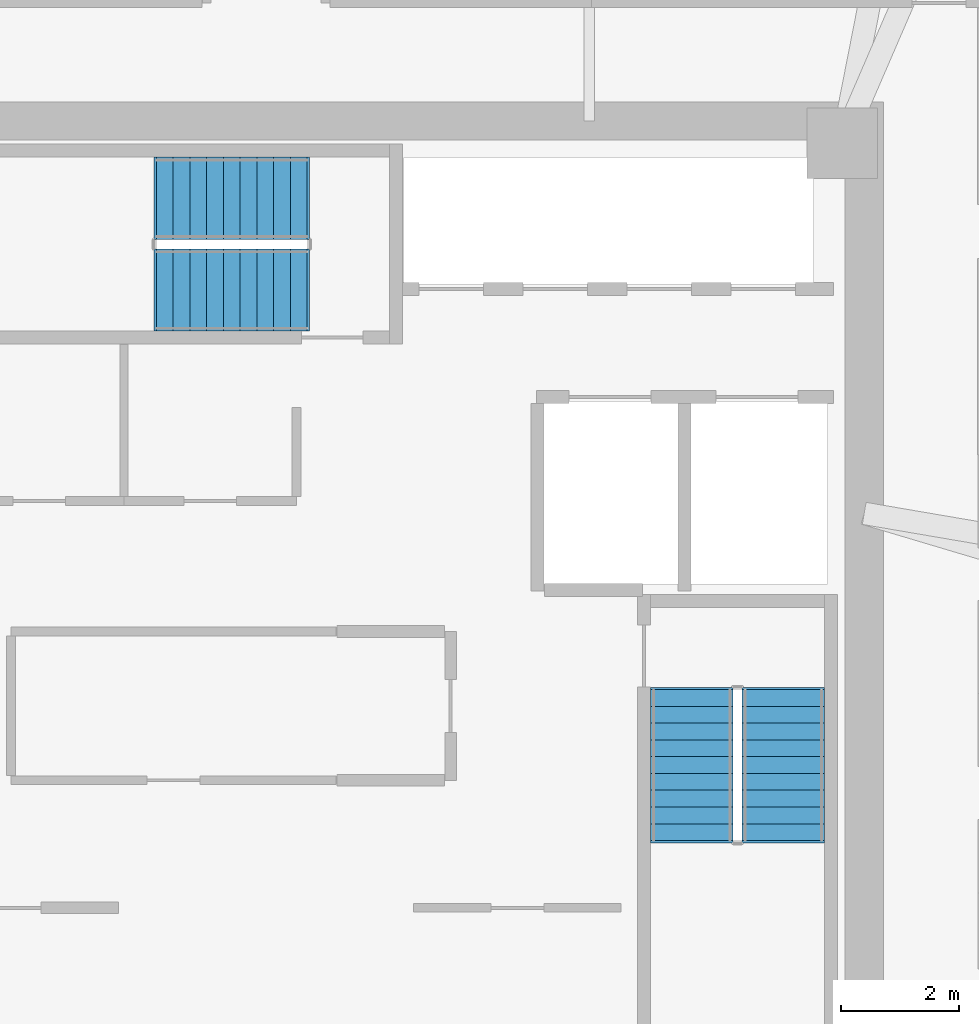
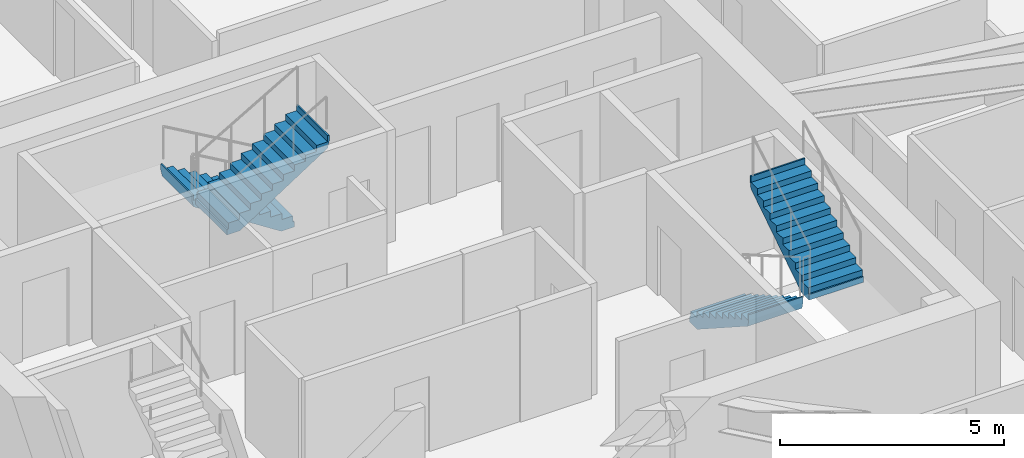
# One storey, part 13 of 14: 4 stair flights, 2 elements without a shape of their own.
"""IFC4 building model written with IfcOpenShell, lengths in metres."""

import ifcopenshell
import ifcopenshell.guid

model = None  # the IFC model being written
_history = None  # IfcOwnerHistory: only IFC2X3 demands one
_inside = {}  # id of a spatial element -> (the spatial element, [elements in it])
_under = {}  # id of a project, library or spatial element -> (it, [spatial elements below it])
_declared = {}  # id of a project -> (the project, [libraries it declares])
_typed = {}  # id of a type object -> (the type object, [elements of that type])
_made_of = {}  # id of a material, layer set ... -> (it, [elements and type objects made of it])


def new_model(schema):
    """Start an empty IFC model of exactly this schema.

    Asked for "IFC4X3", IfcOpenShell would pick the latest addendum, in which some entities
    have other attributes; the version numbers below select the first issue.
    IFC2X3 requires an IfcOwnerHistory on every rooted entity: one is made here for all.
    """
    global model, _history
    if schema == "IFC4X3":
        model = ifcopenshell.file(schema_version=(4, 3, 0, 0))
    else:
        model = ifcopenshell.file(schema=schema)
    _inside.clear()
    _under.clear()
    _declared.clear()
    _typed.clear()
    _made_of.clear()
    _history = None
    if model.schema == "IFC2X3":
        org = make("IfcOrganization", Name="unknown")
        user = make(
            "IfcPersonAndOrganization",
            ThePerson=make("IfcPerson", FamilyName="unknown"),
            TheOrganization=org,
        )
        app = make(
            "IfcApplication",
            ApplicationDeveloper=org,
            Version="unknown",
            ApplicationFullName="unknown",
            ApplicationIdentifier="unknown",
        )
        _history = make(
            "IfcOwnerHistory",
            OwningUser=user,
            OwningApplication=app,
            ChangeAction="ADDED",
            CreationDate=0,
        )
    return model


def make(cls, **values):
    """One entity of the class cls with the attributes given. An attribute that is None is left unset."""
    return model.create_entity(
        cls, **{name: value for name, value in values.items() if value is not None}
    )


def rooted(cls, **values):
    """An entity with a GlobalId (a new one), such as an element, a storey or a relation."""
    return make(cls, GlobalId=ifcopenshell.guid.new(), OwnerHistory=_history, **values)


def si_unit(unit_type, name, prefix=None):
    """IfcSIUnit, for example si_unit("LENGTHUNIT", "METRE", prefix="MILLI")."""
    return make("IfcSIUnit", UnitType=unit_type, Prefix=prefix, Name=name)


def assignment(units):
    """IfcUnitAssignment: the units of a project."""
    return None if units is None else make("IfcUnitAssignment", Units=units)


def point(xyz):
    """IfcCartesianPoint."""
    return None if xyz is None else make("IfcCartesianPoint", Coordinates=xyz)


def direction(xyz):
    """IfcDirection."""
    return None if xyz is None else make("IfcDirection", DirectionRatios=xyz)


def frame(location, z_axis=None, x_axis=None):
    """IfcAxis2Placement3D, a coordinate frame: its origin and axes. An axis left out is left unset."""
    return make(
        "IfcAxis2Placement3D",
        Location=point(location),
        Axis=direction(z_axis),
        RefDirection=direction(x_axis),
    )


def origin():
    """The frame at (0, 0, 0) with its axes left unset."""
    return frame((0.0, 0.0, 0.0))


def place(relative_to, where):
    """IfcLocalPlacement: puts the frame where relative to a parent placement (None: the world)."""
    return make(
        "IfcLocalPlacement", PlacementRelTo=relative_to, RelativePlacement=where
    )


def context(
    kind, dimensions, precision=None, world=None, true_north=None, identifier=None
):
    """IfcGeometricRepresentationContext, for example the 3D "Model" context."""
    return make(
        "IfcGeometricRepresentationContext",
        ContextIdentifier=identifier,
        ContextType=kind,
        CoordinateSpaceDimension=dimensions,
        Precision=precision,
        WorldCoordinateSystem=world,
        TrueNorth=true_north,
    )


def subcontext(parent, identifier, kind, view, scale=None):
    """IfcGeometricRepresentationSubContext, for example "Body" below "Model"."""
    return make(
        "IfcGeometricRepresentationSubContext",
        ContextIdentifier=identifier,
        ContextType=kind,
        ParentContext=parent,
        TargetScale=scale,
        TargetView=view,
    )


def project(units=None, contexts=None):
    """IfcProject with its units and contexts."""
    return rooted(
        "IfcProject",
        Name="project",
        RepresentationContexts=contexts,
        UnitsInContext=assignment(units),
    )


def spatial(cls, under=None, at=None, **own):
    """A site, building, storey or space (cls), placed at a placement, below another one or the project."""
    s = rooted(cls, ObjectPlacement=at, **own)
    if under is not None:
        _under.setdefault(under.id(), (under, []))[1].append(s)
    return s


def polyline(points):
    """IfcPolyline through the points."""
    return make("IfcPolyline", Points=[point(p) for p in points])


def outline(outer, holes=None, kind="AREA"):
    """IfcArbitraryClosedProfileDef: a profile drawn as a closed curve; with holes, ...WithVoids."""
    if holes is None:
        return make("IfcArbitraryClosedProfileDef", ProfileType=kind, OuterCurve=outer)
    return make(
        "IfcArbitraryProfileDefWithVoids",
        ProfileType=kind,
        OuterCurve=outer,
        InnerCurves=holes,
    )


def extrude(swept, where, along, depth):
    """IfcExtrudedAreaSolid: the profile swept, set in the frame where, extruded along a direction by depth."""
    return make(
        "IfcExtrudedAreaSolid",
        SweptArea=swept,
        Position=where,
        ExtrudedDirection=direction(along),
        Depth=depth,
    )


def shape(context_of_items, identifier, shape_type, items):
    """IfcShapeRepresentation: the items that make up one representation, for example the "Body"."""
    return make(
        "IfcShapeRepresentation",
        ContextOfItems=context_of_items,
        RepresentationIdentifier=identifier,
        RepresentationType=shape_type,
        Items=items,
    )


def material(Name=None, Category=None):
    """IfcMaterial."""
    return make("IfcMaterial", Name=Name, Category=Category)


def made_of(thing, what):
    """Note that an element or type object is made of a material, layer set ...; save() writes the relation."""
    if what is not None:
        _made_of.setdefault(what.id(), (what, []))[1].append(thing)
    return thing


def type_object(cls, material=None, **own):
    """A type object (cls), such as IfcWallType, which elements share."""
    return made_of(rooted(cls, **own), material)


def element(
    cls,
    number,
    at=None,
    inside=None,
    cuts=None,
    type_object=None,
    material=None,
    context=None,
    identifier="Body",
    shape_type=None,
    held_by="IfcProductDefinitionShape",
    body=None,
    shapes=None,
    **own,
):
    """One element of the class cls, such as IfcWall. Its Tag is "e" and its number.

    at: its placement. inside: the storey or other place that contains it. cuts: it is an
    opening in that element (IfcRelVoidsElement). A single representation is given by context,
    identifier, shape_type and body (its items); several are given by shapes. held_by: the class
    of the entity that holds the representations. save() writes the other relations.
    """
    e = rooted(cls, Tag="e%d" % number, ObjectPlacement=at, **own)
    if body is not None:
        shapes = [shape(context, identifier, shape_type, body)]
    if shapes is not None:
        e.Representation = make(held_by, Representations=shapes)
    if inside is not None:
        _inside.setdefault(inside.id(), (inside, []))[1].append(e)
    if cuts is not None:
        rooted(
            "IfcRelVoidsElement", RelatingBuildingElement=cuts, RelatedOpeningElement=e
        )
    if type_object is not None:
        _typed.setdefault(type_object.id(), (type_object, []))[1].append(e)
    return made_of(e, material)


def aggregate(whole, parts):
    """IfcRelAggregates: a whole, such as a stair, and the parts it consists of."""
    return rooted("IfcRelAggregates", RelatingObject=whole, RelatedObjects=parts)


def save(model, path):
    """Write the relations noted so far, then the file.

    IfcRelAggregates (storeys below a building ...), IfcRelContainedInSpatialStructure (elements
    in a storey), IfcRelDefinesByType, IfcRelAssociatesMaterial and IfcRelDeclares: one each for
    every whole, place, type object, material and project.
    """
    for whole, parts in _under.values():
        aggregate(whole, parts)
    for where, things in _inside.values():
        rooted(
            "IfcRelContainedInSpatialStructure",
            RelatedElements=things,
            RelatingStructure=where,
        )
    for kind, things in _typed.values():
        rooted("IfcRelDefinesByType", RelatedObjects=things, RelatingType=kind)
    for what, things in _made_of.values():
        rooted("IfcRelAssociatesMaterial", RelatedObjects=things, RelatingMaterial=what)
    for by, libraries in _declared.values():
        rooted("IfcRelDeclares", RelatingContext=by, RelatedDefinitions=libraries)
    model.write(path)


model = new_model("IFC4")

# Units and contexts
model_context = context("Model", 3, precision=1e-05, world=origin(), true_north=direction((0.0, 1.0)))
body_context = subcontext(model_context, "Body", "Model", "MODEL_VIEW")
ifc_project = project(units=[si_unit("LENGTHUNIT", "METRE"), si_unit("AREAUNIT", "SQUARE_METRE"), si_unit("VOLUMEUNIT", "CUBIC_METRE"), si_unit("PLANEANGLEUNIT", "RADIAN"), si_unit("MASSUNIT", "GRAM", prefix="KILO")], contexts=[model_context])

# Site, building, storey
site_placement = place(None, origin())
site = spatial("IfcSite", under=ifc_project, at=site_placement, CompositionType="ELEMENT")
building_placement = place(site_placement, origin())
building = spatial("IfcBuilding", under=site, at=building_placement, Name="Durnholm Broadcast Tower", CompositionType="ELEMENT")
storey_placement = place(building_placement, frame((0.0, 0.0, 187.0)))
storey = spatial("IfcBuildingStorey", under=building, at=storey_placement, Name="L51", CompositionType="ELEMENT", Elevation=187.0)

# Stair, stair flights
ifc_material = material(Name="Concrete C50/60", Category="concrete")
stair_type = type_object("IfcStairType", Name="STAIR-DL-20R1650", PredefinedType="HALF_TURN_STAIR", material=ifc_material)
stair_1_placement = place(storey_placement, origin())
stair_1 = element("IfcStair", 1, at=stair_1_placement, inside=storey, type_object=stair_type, Name="L51 ST-2", PredefinedType="HALF_TURN_STAIR")
stair_flight_type = type_object("IfcStairFlightType", Name="FLIGHT-DL-20R1650", PredefinedType="STRAIGHT", material=ifc_material)
stair_flight_1_placement = place(storey_placement, frame((7.239990234375, -1.5, 0.0), z_axis=(0.0, 0.0, 1.0), x_axis=(0.0, -1.0, 0.0)))
stair_flight_1 = element("IfcStairFlight", 2, at=stair_flight_1_placement, type_object=stair_flight_type, Name="ST-2 flight 1", NumberOfRisers=10, NumberOfTreads=9, PredefinedType="STRAIGHT", RiserHeight=0.165, TreadLength=0.285, context=body_context, shape_type="SweptSolid", body=[
    extrude(outline(polyline([(-0.0400390625, -0.14990234375), (-0.0400390625, 0.0), (0.0, 0.0), (0.0, 0.1650390625), (0.284912109375, 0.1650390625), (0.284912109375, 0.330078125), (0.570068359375, 0.330078125), (0.570068359375, 0.4951171875), (0.85498046875, 0.4951171875), (0.85498046875, 0.659912109375), (1.139892578125, 0.659912109375), (1.139892578125, 0.824951171875), (1.425048828125, 0.824951171875), (1.425048828125, 0.989990234375), (1.7099609375, 0.989990234375), (1.7099609375, 1.155029296875), (1.9951171875, 1.155029296875), (1.9951171875, 1.320068359375), (2.280029296875, 1.320068359375), (2.280029296875, 1.485107421875), (2.56494140625, 1.485107421875), (2.56494140625, 1.64990234375), (2.60498046875, 1.64990234375), (2.60498046875, 1.5), (2.56494140625, 1.311767578125), (0.299072265625, -0.14990234375), (-0.0400390625, -0.14990234375)])), frame((0.0, 0.699951171875, 0.0), z_axis=(0.0, -1.0, 0.0), x_axis=(1.0, 0.0, 0.0)), (0.0, 0.0, 1.0), 1.39990234375),
])
stair_flight_2_placement = place(storey_placement, frame((8.800048828125, -4.06494140625, 1.64990234375), z_axis=(0.0, 0.0, 1.0), x_axis=(0.0, 1.0, 0.0)))
stair_flight_2 = element("IfcStairFlight", 3, at=stair_flight_2_placement, type_object=stair_flight_type, Name="ST-2 flight 2", NumberOfRisers=10, NumberOfTreads=9, PredefinedType="STRAIGHT", RiserHeight=0.165, TreadLength=0.285, context=body_context, shape_type="SweptSolid", body=[
    extrude(outline(polyline([(-0.0400390625, -0.14990234375), (-0.0400390625, 0.0), (0.0, 0.0), (0.0, 0.1650390625), (0.284912109375, 0.1650390625), (0.284912109375, 0.330078125), (0.570068359375, 0.330078125), (0.570068359375, 0.4951171875), (0.85498046875, 0.4951171875), (0.85498046875, 0.659912109375), (1.139892578125, 0.659912109375), (1.139892578125, 0.824951171875), (1.425048828125, 0.824951171875), (1.425048828125, 0.989990234375), (1.7099609375, 0.989990234375), (1.7099609375, 1.155029296875), (1.9951171875, 1.155029296875), (1.9951171875, 1.320068359375), (2.280029296875, 1.320068359375), (2.280029296875, 1.485107421875), (2.56494140625, 1.485107421875), (2.56494140625, 1.64990234375), (2.60498046875, 1.64990234375), (2.60498046875, 1.5), (2.56494140625, 1.311767578125), (0.299072265625, -0.14990234375), (-0.0400390625, -0.14990234375)])), frame((0.0, 0.699951171875, 0.0), z_axis=(0.0, -1.0, 0.0), x_axis=(1.0, 0.0, 0.0)), (0.0, 0.0, 1.0), 1.39990234375),
])
aggregate(stair_1, [stair_flight_1, stair_flight_2])

stair_2_placement = place(storey_placement, origin())
stair_2 = element("IfcStair", 4, at=stair_2_placement, inside=storey, type_object=stair_type, Name="L51 ST-3", PredefinedType="HALF_TURN_STAIR")
stair_flight_3_placement = place(storey_placement, frame((0.699951171875, 6.860107421875, 0.0), z_axis=(0.0, 0.0, 1.0), x_axis=(-1.0, 0.0, 0.0)))
stair_flight_3 = element("IfcStairFlight", 5, at=stair_flight_3_placement, type_object=stair_flight_type, Name="ST-3 flight 1", NumberOfRisers=10, NumberOfTreads=9, PredefinedType="STRAIGHT", RiserHeight=0.165, TreadLength=0.285, context=body_context, shape_type="SweptSolid", body=[
    extrude(outline(polyline([(-0.0400390625, -0.14990234375), (-0.0400390625, 0.0), (0.0, 0.0), (0.0, 0.1650390625), (0.284912109375, 0.1650390625), (0.284912109375, 0.330078125), (0.570068359375, 0.330078125), (0.570068359375, 0.4951171875), (0.85498046875, 0.4951171875), (0.85498046875, 0.659912109375), (1.139892578125, 0.659912109375), (1.139892578125, 0.824951171875), (1.425048828125, 0.824951171875), (1.425048828125, 0.989990234375), (1.7099609375, 0.989990234375), (1.7099609375, 1.155029296875), (1.9951171875, 1.155029296875), (1.9951171875, 1.320068359375), (2.280029296875, 1.320068359375), (2.280029296875, 1.485107421875), (2.56494140625, 1.485107421875), (2.56494140625, 1.64990234375), (2.60498046875, 1.64990234375), (2.60498046875, 1.5), (2.56494140625, 1.311767578125), (0.299072265625, -0.14990234375), (-0.0400390625, -0.14990234375)])), frame((0.0, 0.699951171875, 0.0), z_axis=(0.0, -1.0, 0.0), x_axis=(1.0, 0.0, 0.0)), (0.0, 0.0, 1.0), 1.39990234375),
])
stair_flight_4_placement = place(storey_placement, frame((-1.864990234375, 5.300048828125, 1.64990234375), z_axis=(0.0, 0.0, 1.0), x_axis=(1.0, 0.0, 0.0)))
stair_flight_4 = element("IfcStairFlight", 6, at=stair_flight_4_placement, type_object=stair_flight_type, Name="ST-3 flight 2", NumberOfRisers=10, NumberOfTreads=9, PredefinedType="STRAIGHT", RiserHeight=0.165, TreadLength=0.285, context=body_context, shape_type="SweptSolid", body=[
    extrude(outline(polyline([(-0.0400390625, -0.14990234375), (-0.0400390625, 0.0), (0.0, 0.0), (0.0, 0.1650390625), (0.284912109375, 0.1650390625), (0.284912109375, 0.330078125), (0.570068359375, 0.330078125), (0.570068359375, 0.4951171875), (0.85498046875, 0.4951171875), (0.85498046875, 0.659912109375), (1.139892578125, 0.659912109375), (1.139892578125, 0.824951171875), (1.425048828125, 0.824951171875), (1.425048828125, 0.989990234375), (1.7099609375, 0.989990234375), (1.7099609375, 1.155029296875), (1.9951171875, 1.155029296875), (1.9951171875, 1.320068359375), (2.280029296875, 1.320068359375), (2.280029296875, 1.485107421875), (2.56494140625, 1.485107421875), (2.56494140625, 1.64990234375), (2.60498046875, 1.64990234375), (2.60498046875, 1.5), (2.56494140625, 1.311767578125), (0.299072265625, -0.14990234375), (-0.0400390625, -0.14990234375)])), frame((0.0, 0.699951171875, 0.0), z_axis=(0.0, -1.0, 0.0), x_axis=(1.0, 0.0, 0.0)), (0.0, 0.0, 1.0), 1.39990234375),
])
aggregate(stair_2, [stair_flight_3, stair_flight_4])

save(model, "model.ifc")
